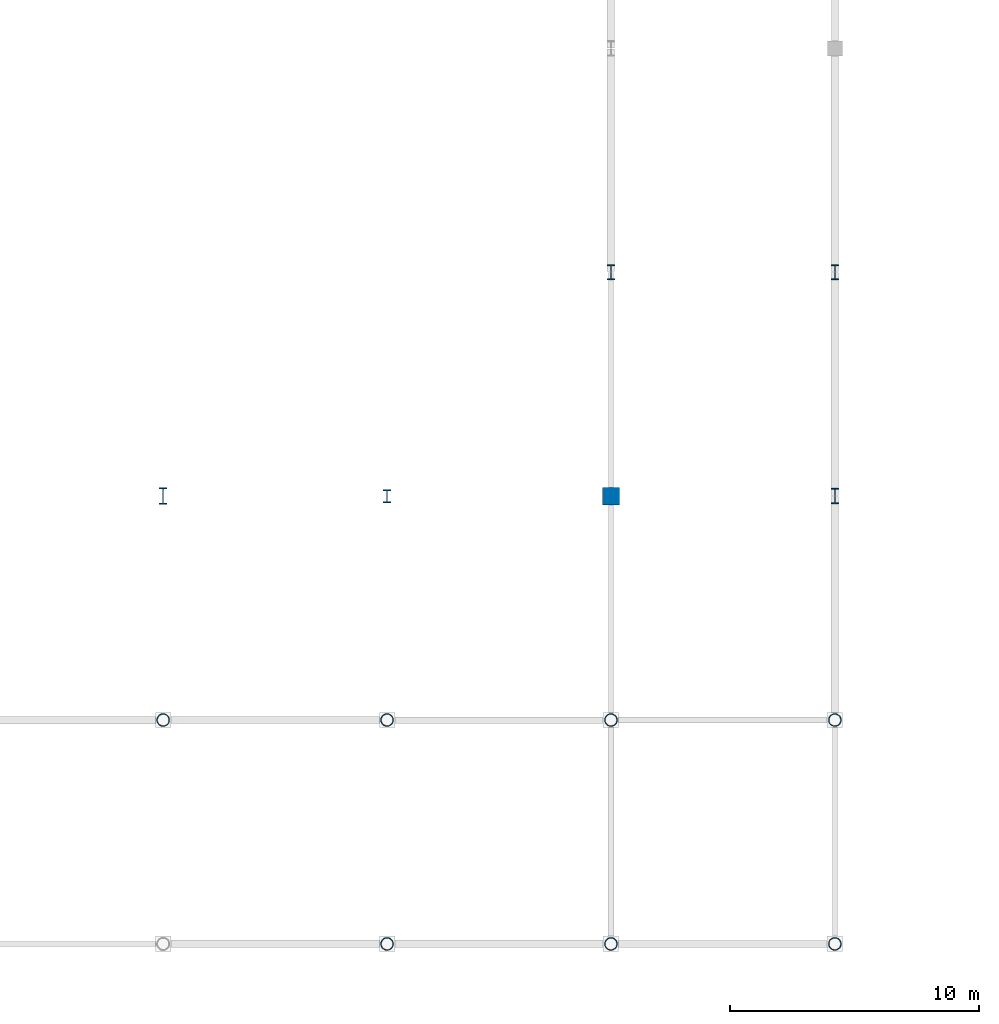
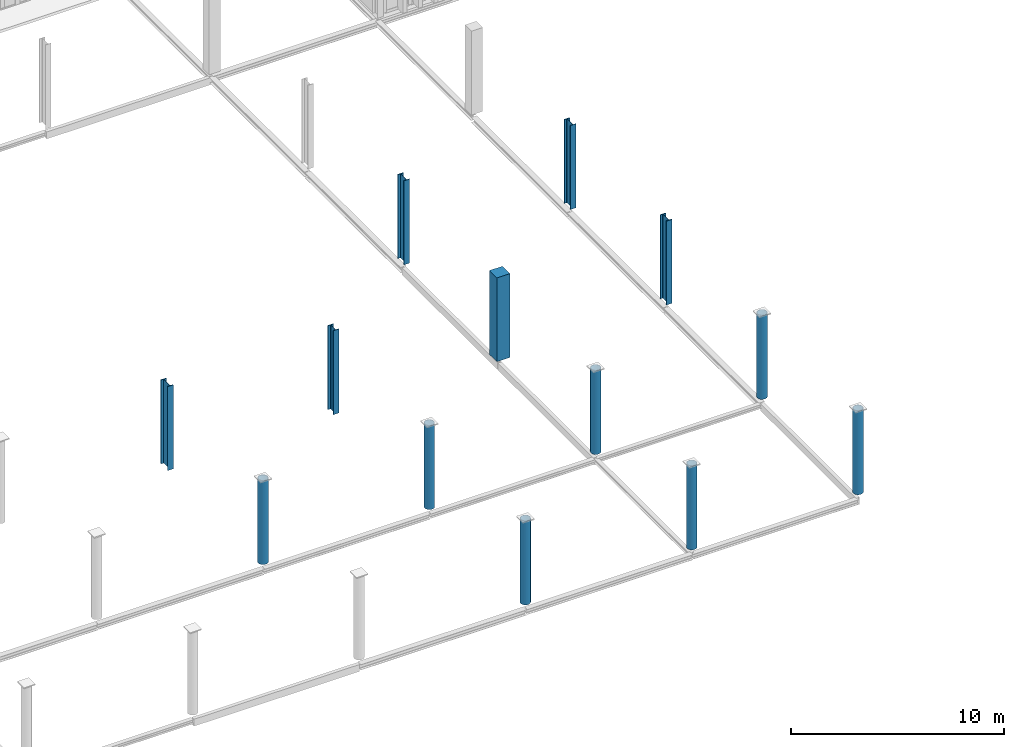
# One storey, part 2 of 196: 13 columns.
"""IFC4 building model written with IfcOpenShell, lengths in metres."""

from ifc_helpers import new_model, si_unit, direction, frame, origin, origin_2d, place, context, subcontext, project, spatial, rectangle, hollow_circle, i_section, extrude, material, material_profile, profile_set, type_object, element, save


model = new_model("IFC4")

# Units and contexts
model_context = context("Model", 3, precision=1e-05, world=origin(), true_north=direction((0.0, 1.0)))
body_context = subcontext(model_context, "Body", "Model", "MODEL_VIEW")
ifc_project = project(units=[si_unit("LENGTHUNIT", "METRE"), si_unit("AREAUNIT", "SQUARE_METRE"), si_unit("VOLUMEUNIT", "CUBIC_METRE"), si_unit("PLANEANGLEUNIT", "RADIAN"), si_unit("MASSUNIT", "GRAM", prefix="KILO")], contexts=[model_context])

# Site, building, storey
site_placement = place(None, origin())
site = spatial("IfcSite", under=ifc_project, at=site_placement, CompositionType="ELEMENT")
building_placement = place(site_placement, origin())
building = spatial("IfcBuilding", under=site, at=building_placement, Name="Barlavento Convention Centre", CompositionType="ELEMENT")
storey_placement = place(building_placement, frame((0.0, 0.0, 18.0)))
storey = spatial("IfcBuildingStorey", under=building, at=storey_placement, Name="L03", CompositionType="ELEMENT", Elevation=18.0)

# Columns
ifc_material_1 = material(Name="Steel S460", Category="steel")
ifc_material_profile_1 = material_profile(ifc_material_1, hollow_circle(Radius=0.25390625, WallThickness=0.02001953125, at=origin_2d()), Name="CHS 508.0x20.0")
ifc_profile_set_1 = profile_set([ifc_material_profile_1], Name="Steel S460")
column_type_1 = type_object("IfcColumnType", Name="STR-COL-CHS508", PredefinedType="COLUMN", material=ifc_profile_set_1)
for number, where, z_axis, x_axis, name in (
    (1, (36.0, 9.0, 0.0), (0.0, 0.0, 1.0), (1.0, 0.0, 0.0), "L03 Congress hall column SC13"),
    (2, (45.0, 0.0, 0.0), (0.0, 0.0, 1.0), (1.0, 0.0, 0.0), "L03 Congress hall column SC13"),
    (3, (45.0, 9.0, 0.0), (0.0, 0.0, 1.0), (1.0, 0.0, 0.0), "L03 Congress hall column SC13"),
    (4, (54.0, 0.0, 0.0), (0.0, 0.0, 1.0), (1.0, 0.0, 0.0), "L03 Congress hall column SC13"),
    (5, (54.0, 9.0, 0.0), (0.0, 0.0, 1.0), (1.0, 0.0, 0.0), "L03 Congress hall column SC13"),
    (6, (63.0, 0.0, 0.0), (0.0, 0.0, 1.0), (1.0, 0.0, 0.0), "L03 Congress hall column SC13"),
    (7, (63.0, 9.0, 0.0), (0.0, 0.0, 1.0), (1.0, 0.0, 0.0), "L03 Congress hall column SC13"),
):
    element("IfcColumn", number, at=place(storey_placement, frame(where, z_axis=z_axis, x_axis=x_axis)), inside=storey, type_object=column_type_1, Name=name, PredefinedType="COLUMN", context=body_context, shape_type="SweptSolid", body=[
        extrude(hollow_circle(Radius=0.25390625, WallThickness=0.02001953125, at=origin_2d()), origin(), (0.0, 0.0, 1.0), 4.800048828125),
    ])
ifc_material_2 = material(Name="Steel S355", Category="steel")
ifc_material_profile_2 = material_profile(ifc_material_2, i_section(OverallWidth=0.300048828125, OverallDepth=0.60009765625, WebThickness=0.015380859375, FlangeThickness=0.030029296875, FilletRadius=0.027099609375, at=origin_2d()), Name="HEB 600")
ifc_profile_set_2 = profile_set([ifc_material_profile_2], Name="Steel S355")
column_type_2 = type_object("IfcColumnType", Name="STR-COL-HEB600", PredefinedType="COLUMN", material=ifc_profile_set_2)
column_1_placement = place(storey_placement, frame((63.0, 27.0, 0.0), z_axis=(0.0, 0.0, 1.0), x_axis=(1.0, 0.0, 0.0)))
element("IfcColumn", 8, at=column_1_placement, inside=storey, type_object=column_type_2, Name="L03 Congress hall column SC08", PredefinedType="COLUMN", context=body_context, shape_type="SweptSolid", body=[
    extrude(i_section(OverallWidth=0.300048828125, OverallDepth=0.60009765625, WebThickness=0.015380859375, FlangeThickness=0.030029296875, FilletRadius=0.027099609375, at=origin_2d()), origin(), (0.0, 0.0, 1.0), 4.800048828125),
])
ifc_material_profile_3 = material_profile(ifc_material_2, i_section(OverallWidth=0.305908203125, OverallDepth=0.52392578125, WebThickness=0.02099609375, FlangeThickness=0.0400390625, FilletRadius=0.027099609375, at=origin_2d()), Name="HEM 500")
ifc_profile_set_3 = profile_set([ifc_material_profile_3], Name="Steel S355")
column_type_3 = type_object("IfcColumnType", Name="STR-COL-HEM500", PredefinedType="COLUMN", material=ifc_profile_set_3)
column_2_placement = place(storey_placement, frame((45.0, 18.0, 0.0), z_axis=(0.0, 0.0, 1.0), x_axis=(1.0, 0.0, 0.0)))
element("IfcColumn", 9, at=column_2_placement, inside=storey, type_object=column_type_3, Name="L03 Congress hall column SC07", PredefinedType="COLUMN", context=body_context, shape_type="SweptSolid", body=[
    extrude(i_section(OverallWidth=0.305908203125, OverallDepth=0.52392578125, WebThickness=0.02099609375, FlangeThickness=0.0400390625, FilletRadius=0.027099609375, at=origin_2d()), origin(), (0.0, 0.0, 1.0), 4.800048828125),
])
ifc_material_profile_4 = material_profile(ifc_material_2, i_section(OverallWidth=0.304931640625, OverallDepth=0.6201171875, WebThickness=0.02099609375, FlangeThickness=0.0400390625, FilletRadius=0.027099609375, at=origin_2d()), Name="HEM 600")
ifc_profile_set_4 = profile_set([ifc_material_profile_4], Name="Steel S355")
column_type_4 = type_object("IfcColumnType", Name="STR-COL-HEM600", PredefinedType="COLUMN", material=ifc_profile_set_4)
for number, where, z_axis, x_axis, name in (
    (10, (54.0, 27.0, 0.0), (0.0, 0.0, 1.0), (1.0, 0.0, 0.0), "L03 Congress hall column SC05"),
    (11, (63.0, 18.0, 0.0), (0.0, 0.0, 1.0), (1.0, 0.0, 0.0), "L03 Congress hall column SC05"),
):
    element("IfcColumn", number, at=place(storey_placement, frame(where, z_axis=z_axis, x_axis=x_axis)), inside=storey, type_object=column_type_4, Name=name, PredefinedType="COLUMN", context=body_context, shape_type="SweptSolid", body=[
        extrude(i_section(OverallWidth=0.304931640625, OverallDepth=0.6201171875, WebThickness=0.02099609375, FlangeThickness=0.0400390625, FilletRadius=0.027099609375, at=origin_2d()), origin(), (0.0, 0.0, 1.0), 4.800048828125),
    ])
ifc_material_profile_5 = material_profile(ifc_material_1, i_section(OverallWidth=0.304931640625, OverallDepth=0.66796875, WebThickness=0.02099609375, FlangeThickness=0.0400390625, FilletRadius=0.027099609375, at=origin_2d()), Name="HEM 650")
ifc_profile_set_5 = profile_set([ifc_material_profile_5], Name="Steel S460")
column_type_5 = type_object("IfcColumnType", Name="STR-COL-HEM650", PredefinedType="COLUMN", material=ifc_profile_set_5)
column_3_placement = place(storey_placement, frame((36.0, 18.0, 0.0), z_axis=(0.0, 0.0, 1.0), x_axis=(1.0, 0.0, 0.0)))
element("IfcColumn", 12, at=column_3_placement, inside=storey, type_object=column_type_5, Name="L03 Congress hall column SC04", PredefinedType="COLUMN", context=body_context, shape_type="SweptSolid", body=[
    extrude(i_section(OverallWidth=0.304931640625, OverallDepth=0.66796875, WebThickness=0.02099609375, FlangeThickness=0.0400390625, FilletRadius=0.027099609375, at=origin_2d()), origin(), (0.0, 0.0, 1.0), 4.800048828125),
])
ifc_material_3 = material(Name="Concrete C40/50", Category="concrete")
ifc_material_profile_6 = material_profile(ifc_material_3, rectangle(XDim=0.699951171875, YDim=0.699951171875, at=origin_2d()), Name="RC 700x700")
ifc_profile_set_6 = profile_set([ifc_material_profile_6], Name="Concrete C40/50")
column_type_6 = type_object("IfcColumnType", Name="STR-COL-RC700", PredefinedType="COLUMN", material=ifc_profile_set_6)
column_4_placement = place(storey_placement, frame((54.0, 18.0, 0.0), z_axis=(0.0, 0.0, 1.0), x_axis=(1.0, 0.0, 0.0)))
element("IfcColumn", 13, at=column_4_placement, inside=storey, type_object=column_type_6, Name="L03 Congress hall column CC06", PredefinedType="COLUMN", context=body_context, shape_type="SweptSolid", body=[
    extrude(rectangle(XDim=0.699951171875, YDim=0.699951171875, at=origin_2d()), origin(), (0.0, 0.0, 1.0), 4.800048828125),
])

save(model, "model.ifc")
